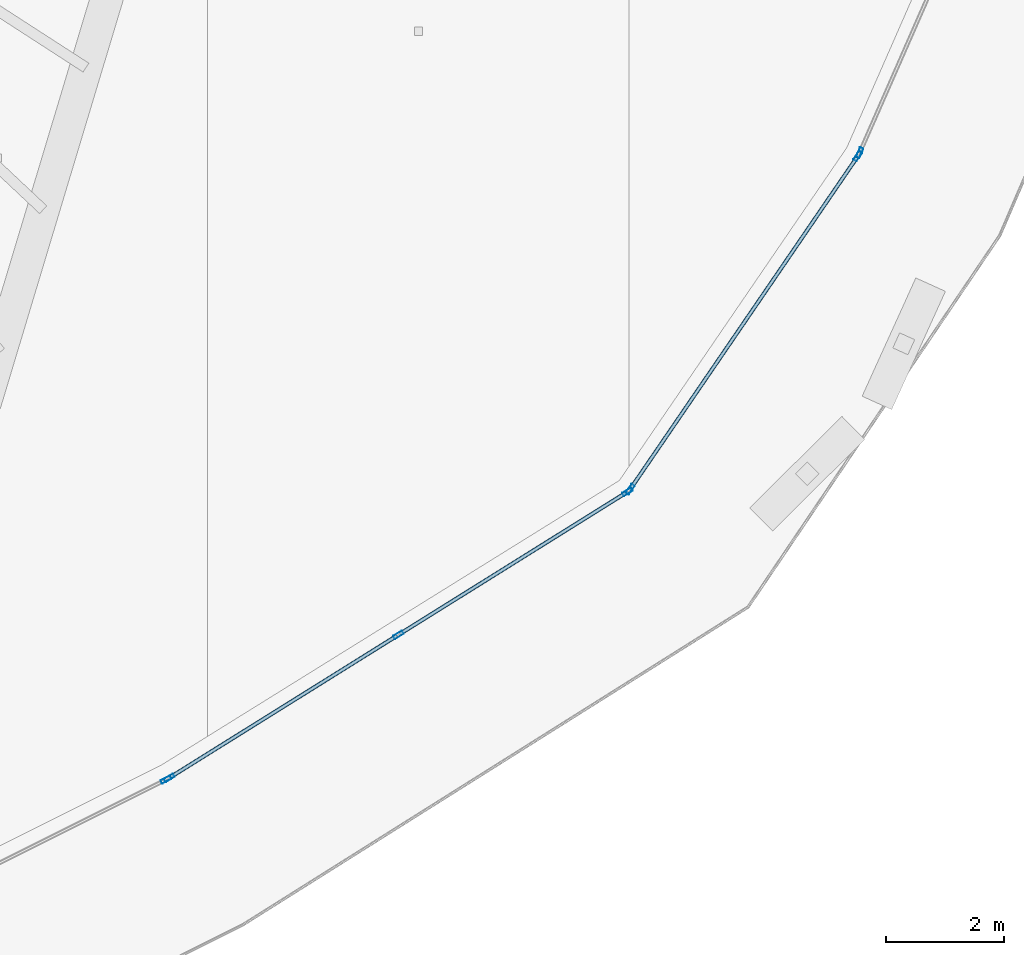
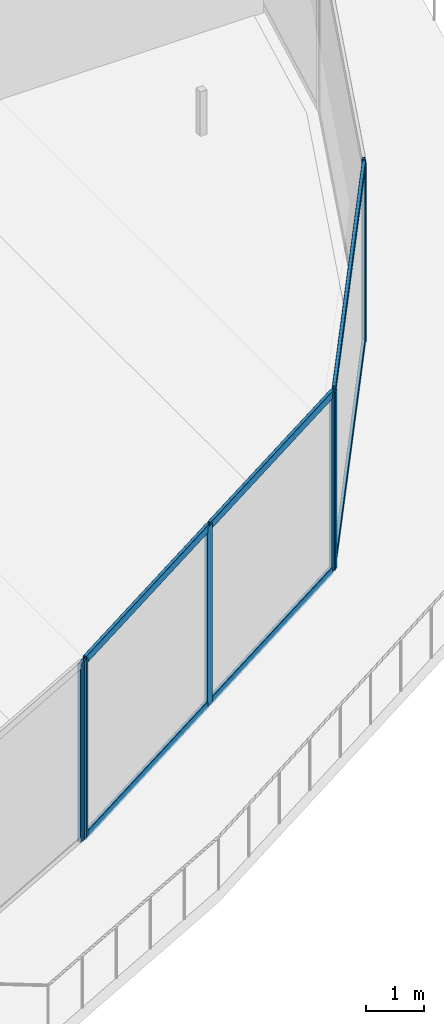
# One storey, part 10 of 42: 13 members, 4 elements without a shape of their own.
"""IFC4 building model written with IfcOpenShell, lengths in metres."""

from ifc_helpers import new_model, si_unit, direction, frame, origin, origin_2d, place, context, subcontext, project, spatial, hollow_rectangle, extrude, material, layer, layer_set, material_profile, profile_set, type_object, element, aggregate, save


model = new_model("IFC4")

# Units and contexts
model_context = context("Model", 3, precision=1e-05, world=origin(), true_north=direction((0.0, 1.0)))
body_context = subcontext(model_context, "Body", "Model", "MODEL_VIEW")
ifc_project = project(units=[si_unit("LENGTHUNIT", "METRE"), si_unit("AREAUNIT", "SQUARE_METRE"), si_unit("VOLUMEUNIT", "CUBIC_METRE"), si_unit("PLANEANGLEUNIT", "RADIAN"), si_unit("MASSUNIT", "GRAM", prefix="KILO")], contexts=[model_context])

# Site, building, storey
site_placement = place(None, origin())
site = spatial("IfcSite", under=ifc_project, at=site_placement, CompositionType="ELEMENT")
building_placement = place(site_placement, origin())
building = spatial("IfcBuilding", under=site, at=building_placement, Name="Qorvath Tower", CompositionType="ELEMENT")
storey_placement = place(building_placement, frame((0.0, 0.0, 117.89990234375)))
storey = spatial("IfcBuildingStorey", under=building, at=storey_placement, Name="L26", CompositionType="ELEMENT", Elevation=117.89990234375)

# Curtain wall, member
ifc_material_1 = material(Name="Anodised aluminium and triple low-E glass", Category="aluminium")
ifc_layer = layer(ifc_material_1, 0.179931640625)
ifc_layer_set = layer_set([ifc_layer], Name="CW-SYS-2")
curtain_wall_type = type_object("IfcCurtainWallType", Name="CW-SYS-2", PredefinedType="NOTDEFINED", material=ifc_layer_set)
curtain_wall_1_placement = place(storey_placement, origin())
curtain_wall_1 = element("IfcCurtainWall", 1, at=curtain_wall_1_placement, inside=storey, type_object=curtain_wall_type, Name="Curtain Wall CW-2 CW-T-L26-3.1", PredefinedType="NOTDEFINED")
ifc_material_2 = material(Name="Anodised aluminium 6063-T6", Category="aluminium")
ifc_material_profile_1 = material_profile(ifc_material_2, hollow_rectangle(XDim=0.06494140625, YDim=0.179931640625, WallThickness=0.00341796875, InnerFilletRadius=0.00341796875, OuterFilletRadius=0.007080078125, at=origin_2d()), Name="CWM 180x65")
ifc_profile_set_1 = profile_set([ifc_material_profile_1], Name="Anodised aluminium 6063-T6")
member_type_1 = type_object("IfcMemberType", Name="CWM-180", PredefinedType="MULLION", material=ifc_profile_set_1)
member_1_placement = place(storey_placement, frame((-11.367431640625, -28.604736328125, 0.0), z_axis=(0.0, 0.0, 1.0), x_axis=(-0.447262398188, 0.894402787992, 0.0)))
member_1 = element("IfcMember", 2, at=member_1_placement, type_object=member_type_1, Name="CW-2 mullion 2", PredefinedType="MULLION", context=body_context, shape_type="SweptSolid", body=[
    extrude(hollow_rectangle(XDim=0.06494140625, YDim=0.179931640625, WallThickness=0.00341796875, InnerFilletRadius=0.00341796875, OuterFilletRadius=0.007080078125, at=origin_2d()), origin(), (0.0, 0.0, 1.0), 3.77001953125),
])
aggregate(curtain_wall_1, [member_1])

# Curtain wall, members
curtain_wall_2_placement = place(storey_placement, origin())
curtain_wall_2 = element("IfcCurtainWall", 3, at=curtain_wall_2_placement, inside=storey, type_object=curtain_wall_type, Name="Curtain Wall CW-2 CW-T-L26-4.1", PredefinedType="NOTDEFINED")
member_2_placement = place(storey_placement, frame((-11.310791015625, -28.572998046875, 0.0), z_axis=(0.0, 0.0, 1.0), x_axis=(-0.529503324069, 0.84830786263, 0.0)))
member_2 = element("IfcMember", 4, at=member_2_placement, type_object=member_type_1, Name="CW-2 mullion 1", PredefinedType="MULLION", context=body_context, shape_type="SweptSolid", body=[
    extrude(hollow_rectangle(XDim=0.06494140625, YDim=0.179931640625, WallThickness=0.00341796875, InnerFilletRadius=0.00341796875, OuterFilletRadius=0.007080078125, at=origin_2d()), origin(), (0.0, 0.0, 1.0), 3.77001953125),
])
member_3_placement = place(storey_placement, frame((-7.4296875, -26.150390625, 0.0), z_axis=(0.0, 0.0, 1.0), x_axis=(-0.529503324069, 0.84830786263, 0.0)))
member_3 = element("IfcMember", 5, at=member_3_placement, type_object=member_type_1, Name="CW-2 mullion 2", PredefinedType="MULLION", context=body_context, shape_type="SweptSolid", body=[
    extrude(hollow_rectangle(XDim=0.06494140625, YDim=0.179931640625, WallThickness=0.00341796875, InnerFilletRadius=0.00341796875, OuterFilletRadius=0.007080078125, at=origin_2d()), origin(), (0.0, 0.0, 1.0), 3.77001953125),
])
member_4_placement = place(storey_placement, frame((-3.548828125, -23.72802734375, 0.0), z_axis=(0.0, 0.0, 1.0), x_axis=(-0.529503324069, 0.84830786263, 0.0)))
member_4 = element("IfcMember", 6, at=member_4_placement, type_object=member_type_1, Name="CW-2 mullion 3", PredefinedType="MULLION", context=body_context, shape_type="SweptSolid", body=[
    extrude(hollow_rectangle(XDim=0.06494140625, YDim=0.179931640625, WallThickness=0.00341796875, InnerFilletRadius=0.00341796875, OuterFilletRadius=0.007080078125, at=origin_2d()), origin(), (0.0, 0.0, 1.0), 3.77001953125),
])

curtain_wall_3_placement = place(storey_placement, origin())
curtain_wall_3 = element("IfcCurtainWall", 7, at=curtain_wall_3_placement, inside=storey, type_object=curtain_wall_type, Name="Curtain Wall CW-2 CW-T-L26-5.1", PredefinedType="NOTDEFINED")
member_5_placement = place(storey_placement, frame((-3.5029296875, -23.683837890625, 0.0), z_axis=(0.0, 0.0, 1.0), x_axis=(-0.825662865244, 0.564163835208, 0.0)))
member_5 = element("IfcMember", 8, at=member_5_placement, type_object=member_type_1, Name="CW-2 mullion 1", PredefinedType="MULLION", context=body_context, shape_type="SweptSolid", body=[
    extrude(hollow_rectangle(XDim=0.06494140625, YDim=0.179931640625, WallThickness=0.00341796875, InnerFilletRadius=0.00341796875, OuterFilletRadius=0.007080078125, at=origin_2d()), origin(), (0.0, 0.0, 1.0), 3.77001953125),
])
member_6_placement = place(storey_placement, frame((0.35400390625, -18.039306640625, 0.0), z_axis=(0.0, 0.0, 1.0), x_axis=(-0.825662865244, 0.564163835208, 0.0)))
member_6 = element("IfcMember", 9, at=member_6_placement, type_object=member_type_1, Name="CW-2 mullion 2", PredefinedType="MULLION", context=body_context, shape_type="SweptSolid", body=[
    extrude(hollow_rectangle(XDim=0.06494140625, YDim=0.179931640625, WallThickness=0.00341796875, InnerFilletRadius=0.00341796875, OuterFilletRadius=0.007080078125, at=origin_2d()), origin(), (0.0, 0.0, 1.0), 3.77001953125),
])

# Curtain wall, member
curtain_wall_4_placement = place(storey_placement, origin())
curtain_wall_4 = element("IfcCurtainWall", 10, at=curtain_wall_4_placement, inside=storey, type_object=curtain_wall_type, Name="Curtain Wall CW-2 CW-T-L26-6.1", PredefinedType="NOTDEFINED")
member_7_placement = place(storey_placement, frame((0.38525390625, -17.982666015625, 0.0), z_axis=(0.0, 0.0, 1.0), x_axis=(-0.915793818987, 0.401648703602, 0.0)))
member_7 = element("IfcMember", 11, at=member_7_placement, type_object=member_type_1, Name="CW-2 mullion 1", PredefinedType="MULLION", context=body_context, shape_type="SweptSolid", body=[
    extrude(hollow_rectangle(XDim=0.06494140625, YDim=0.179931640625, WallThickness=0.00341796875, InnerFilletRadius=0.00341796875, OuterFilletRadius=0.007080078125, at=origin_2d()), origin(), (0.0, 0.0, 1.0), 3.77001953125),
])
aggregate(curtain_wall_4, [member_7])

# Member
ifc_material_3 = material(Name="Anodised aluminium 6063-T6", Category="aluminium")
ifc_material_profile_2 = material_profile(ifc_material_3, hollow_rectangle(XDim=0.06494140625, YDim=0.159912109375, WallThickness=0.00341796875, InnerFilletRadius=0.00341796875, OuterFilletRadius=0.007080078125, at=origin_2d()), Name="CWT 160x65")
ifc_profile_set_2 = profile_set([ifc_material_profile_2], Name="Anodised aluminium 6063-T6")
member_type_2 = type_object("IfcMemberType", Name="CWT-160", PredefinedType="USERDEFINED", material=ifc_profile_set_2)
member_8_placement = place(storey_placement, frame((-11.283203125, -28.5556640625, 0.032470703125), z_axis=(0.848323552443, 0.52947818687, 0.0), x_axis=(-0.52947818687, 0.848323552443, 0.0)))
member_8 = element("IfcMember", 12, at=member_8_placement, type_object=member_type_2, Name="CW-2 transom 1.1", ObjectType="TRANSOM", PredefinedType="USERDEFINED", context=body_context, shape_type="SweptSolid", body=[
    extrude(hollow_rectangle(XDim=0.06494140625, YDim=0.159912109375, WallThickness=0.00341796875, InnerFilletRadius=0.00341796875, OuterFilletRadius=0.007080078125, at=origin_2d()), origin(), (0.0, 0.0, 1.0), 4.510009765625),
])

member_9_placement = place(storey_placement, frame((-11.283203125, -28.5556640625, 3.737548828125), z_axis=(0.848323552443, 0.52947818687, 0.0), x_axis=(-0.52947818687, 0.848323552443, 0.0)))
member_9 = element("IfcMember", 13, at=member_9_placement, type_object=member_type_2, Name="CW-2 transom 1.2", ObjectType="TRANSOM", PredefinedType="USERDEFINED", context=body_context, shape_type="SweptSolid", body=[
    extrude(hollow_rectangle(XDim=0.06494140625, YDim=0.159912109375, WallThickness=0.00341796875, InnerFilletRadius=0.00341796875, OuterFilletRadius=0.007080078125, at=origin_2d()), origin(), (0.0, 0.0, 1.0), 4.510009765625),
])

member_10_placement = place(storey_placement, frame((-7.40234375, -26.13330078125, 0.032470703125), z_axis=(0.848299237237, 0.529517142407, 0.0), x_axis=(-0.529517142407, 0.848299237237, 0.0)))
member_10 = element("IfcMember", 14, at=member_10_placement, type_object=member_type_2, Name="CW-2 transom 2.1", ObjectType="TRANSOM", PredefinedType="USERDEFINED", context=body_context, shape_type="SweptSolid", body=[
    extrude(hollow_rectangle(XDim=0.06494140625, YDim=0.159912109375, WallThickness=0.00341796875, InnerFilletRadius=0.00341796875, OuterFilletRadius=0.007080078125, at=origin_2d()), origin(), (0.0, 0.0, 1.0), 4.510009765625),
])

member_11_placement = place(storey_placement, frame((-7.40234375, -26.13330078125, 3.737548828125), z_axis=(0.848299237237, 0.529517142407, 0.0), x_axis=(-0.529517142407, 0.848299237237, 0.0)))
member_11 = element("IfcMember", 15, at=member_11_placement, type_object=member_type_2, Name="CW-2 transom 2.2", ObjectType="TRANSOM", PredefinedType="USERDEFINED", context=body_context, shape_type="SweptSolid", body=[
    extrude(hollow_rectangle(XDim=0.06494140625, YDim=0.159912109375, WallThickness=0.00341796875, InnerFilletRadius=0.00341796875, OuterFilletRadius=0.007080078125, at=origin_2d()), origin(), (0.0, 0.0, 1.0), 4.510009765625),
])

aggregate(curtain_wall_2, [member_2, member_3, member_4, member_8, member_9, member_10, member_11])

member_12_placement = place(storey_placement, frame((-3.484619140625, -23.656982421875, 0.032470703125), z_axis=(0.564182312323, 0.825650239788, 0.0), x_axis=(-0.825650239788, 0.564182312323, 0.0)))
member_12 = element("IfcMember", 16, at=member_12_placement, type_object=member_type_2, Name="CW-2 transom 1.1", ObjectType="TRANSOM", PredefinedType="USERDEFINED", context=body_context, shape_type="SweptSolid", body=[
    extrude(hollow_rectangle(XDim=0.06494140625, YDim=0.159912109375, WallThickness=0.00341796875, InnerFilletRadius=0.00341796875, OuterFilletRadius=0.007080078125, at=origin_2d()), origin(), (0.0, 0.0, 1.0), 6.771484375),
])

member_13_placement = place(storey_placement, frame((-3.484619140625, -23.656982421875, 3.737548828125), z_axis=(0.564182312323, 0.825650239788, 0.0), x_axis=(-0.825650239788, 0.564182312323, 0.0)))
member_13 = element("IfcMember", 17, at=member_13_placement, type_object=member_type_2, Name="CW-2 transom 1.2", ObjectType="TRANSOM", PredefinedType="USERDEFINED", context=body_context, shape_type="SweptSolid", body=[
    extrude(hollow_rectangle(XDim=0.06494140625, YDim=0.159912109375, WallThickness=0.00341796875, InnerFilletRadius=0.00341796875, OuterFilletRadius=0.007080078125, at=origin_2d()), origin(), (0.0, 0.0, 1.0), 6.771484375),
])

aggregate(curtain_wall_3, [member_5, member_6, member_12, member_13])

save(model, "model.ifc")
